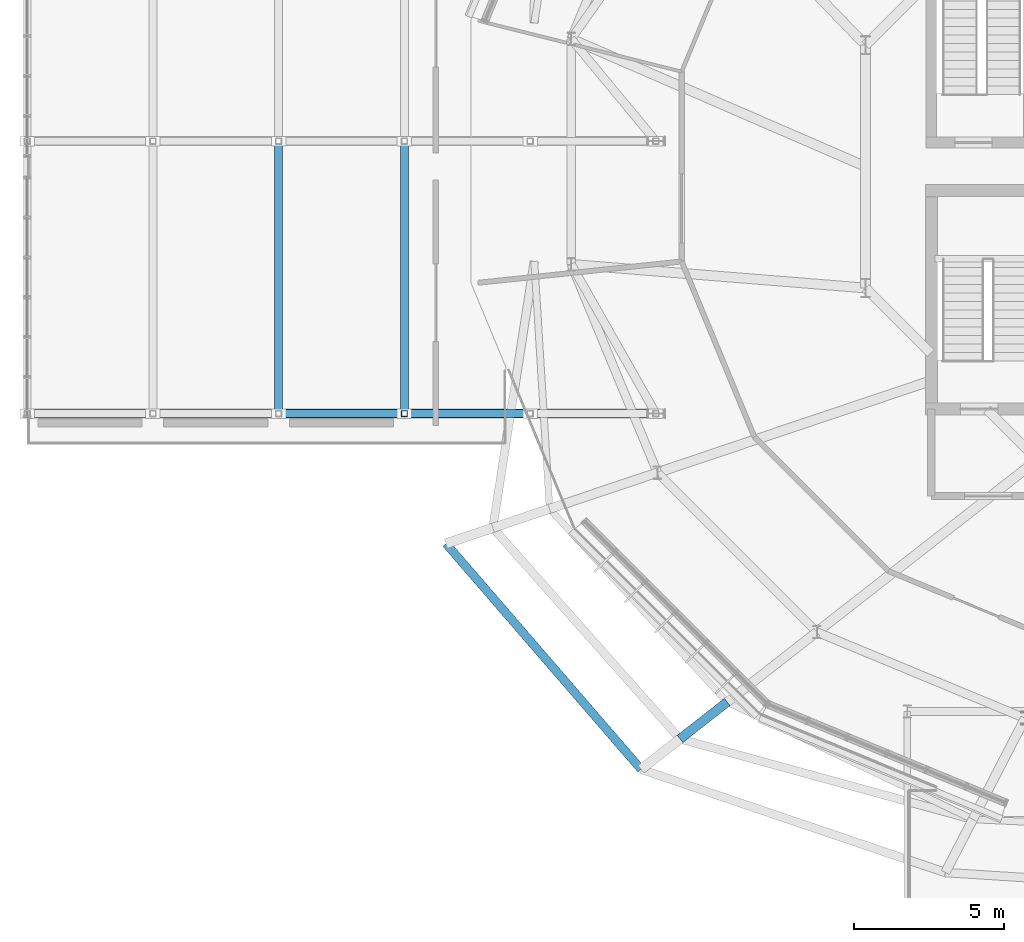
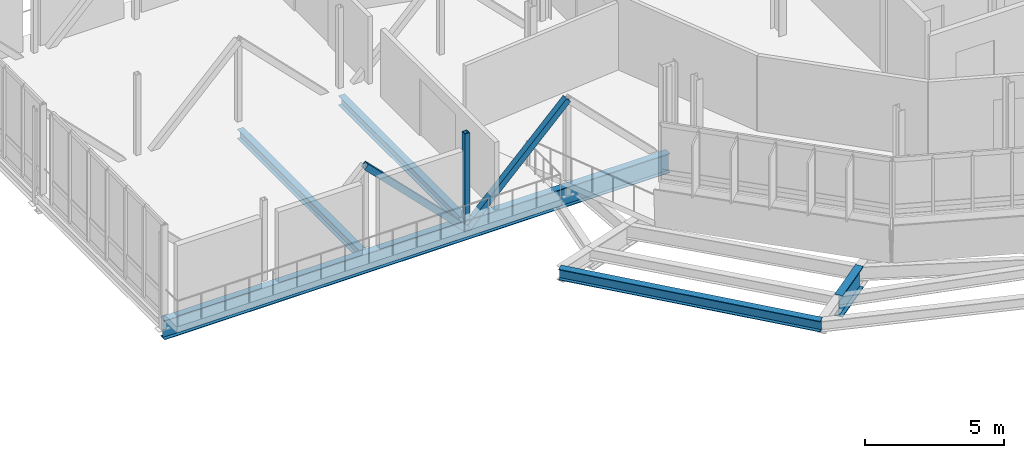
# One storey, part 19 of 107: 5 beams, 3 members.
"""IFC4 building model written with IfcOpenShell, lengths in metres."""

from ifc_helpers import new_model, si_unit, derived_unit, direction, frame, origin, origin_2d, place, context, subcontext, project, spatial, hollow_rectangle, i_section, extrude, material, material_profile, profile_set, type_object, element, save


model = new_model("IFC4")

# Units and contexts
model_context = context("Model", 3, precision=1e-05, world=origin(), true_north=direction((0.0, 1.0)))
body_context = subcontext(model_context, "Body", "Model", "MODEL_VIEW")
ifc_project = project(units=[si_unit("LENGTHUNIT", "METRE"), si_unit("AREAUNIT", "SQUARE_METRE"), si_unit("VOLUMEUNIT", "CUBIC_METRE"), si_unit("PLANEANGLEUNIT", "RADIAN"), si_unit("MASSUNIT", "GRAM", prefix="KILO"), derived_unit("THERMALTRANSMITTANCEUNIT", [(si_unit("MASSUNIT", "GRAM", prefix="KILO"), 1), (si_unit("TIMEUNIT", "SECOND"), -3), (si_unit("THERMODYNAMICTEMPERATUREUNIT", "KELVIN"), -1)])], contexts=[model_context])

# Site, building, storey
site_placement = place(None, origin())
site = spatial("IfcSite", under=ifc_project, at=site_placement, CompositionType="ELEMENT")
building_placement = place(site_placement, origin())
building = spatial("IfcBuilding", under=site, at=building_placement, Name="Makaiwela Harbour Ferry Terminal", CompositionType="ELEMENT")
storey_placement = place(building_placement, frame((0.0, 0.0, 9.60009765625)))
storey = spatial("IfcBuildingStorey", under=building, at=storey_placement, Name="L02", CompositionType="ELEMENT", Elevation=9.60009765625)

# Members
ifc_material_1 = material(Name="Steel ASTM A500 Grade C", Category="steel")
ifc_material_profile_1 = material_profile(ifc_material_1, hollow_rectangle(XDim=0.25390625, YDim=0.25390625, WallThickness=0.0146484375, at=origin_2d()), Name="HSS10X10X5/8")
ifc_profile_set_1 = profile_set([ifc_material_profile_1], Name="Steel ASTM A500 Grade C")
member_type_1 = type_object("IfcMemberType", Name="STR-BRC-HSS10", PredefinedType="BRACE", material=ifc_profile_set_1)
for number, where, z_axis, x_axis, name in (
    (1, (16.800048828125, 59.35009765625, 3.534423828125), (-0.705423542875, 0.0, -0.708786022124), (0.0, -1.0, 0.0), "Structural Member BR-01"),
    (2, (12.60009765625, 59.35009765625, -0.685546875), (-0.7054441424, 0.0, 0.708765519727), (0.0, -1.0, 0.0), "Structural Member BR-01"),
):
    element("IfcMember", number, at=place(storey_placement, frame(where, z_axis=z_axis, x_axis=x_axis)), inside=storey, type_object=member_type_1, Name=name, PredefinedType="BRACE", context=body_context, shape_type="SweptSolid", body=[
        extrude(hollow_rectangle(XDim=0.25390625, YDim=0.25390625, WallThickness=0.0146484375, at=origin_2d()), origin(), (0.0, 0.0, 1.0), 5.953857421875),
    ])

# Beams
ifc_material_2 = material(Name="Steel ASTM A992 Grade 50", Category="steel")
ifc_material_profile_2 = material_profile(ifc_material_2, i_section(OverallWidth=0.2939453125, OverallDepth=0.85107421875, WebThickness=0.01611328125, FlangeThickness=0.02685546875, at=origin_2d()), Name="W33X152")
ifc_profile_set_2 = profile_set([ifc_material_profile_2], Name="Steel ASTM A992 Grade 50")
beam_type_1 = type_object("IfcBeamType", Name="STR-GRD-W33X152", PredefinedType="USERDEFINED", material=ifc_profile_set_2)
beam_1_placement = place(storey_placement, frame((0.0, 59.35009765625, -0.685546875), z_axis=(1.0, 0.0, 0.0), x_axis=(0.0, 1.0, 0.0)))
element("IfcBeam", 3, at=beam_1_placement, inside=storey, type_object=beam_type_1, Name="West bridge truss middle chord 1", ObjectType="GIRDER", PredefinedType="USERDEFINED", context=body_context, shape_type="SweptSolid", body=[
    extrude(i_section(OverallWidth=0.2939453125, OverallDepth=0.85107421875, WebThickness=0.01611328125, FlangeThickness=0.02685546875, at=origin_2d()), origin(), (0.0, 0.0, 1.0), 21.0),
])
ifc_material_profile_3 = material_profile(ifc_material_2, i_section(OverallWidth=0.31005859375, OverallDepth=0.949951171875, WebThickness=0.0244140625, FlangeThickness=0.0439453125, at=origin_2d()), Name="W36X256")
ifc_profile_set_3 = profile_set([ifc_material_profile_3], Name="Steel ASTM A992 Grade 50")
beam_type_2 = type_object("IfcBeamType", Name="STR-GRD-W36X256", PredefinedType="USERDEFINED", material=ifc_profile_set_3)
beam_2_placement = place(storey_placement, frame((23.3828125, 49.71337890625, -0.735107421875), z_axis=(-0.787963297722, -0.615722211264, 0.0), x_axis=(0.615722211264, -0.787963297722, 0.0)))
element("IfcBeam", 4, at=beam_2_placement, inside=storey, type_object=beam_type_2, Name="Drum overhang radial girder 181", ObjectType="GIRDER", PredefinedType="USERDEFINED", context=body_context, shape_type="SweptSolid", body=[
    extrude(i_section(OverallWidth=0.31005859375, OverallDepth=0.949951171875, WebThickness=0.0244140625, FlangeThickness=0.0439453125, at=origin_2d()), origin(), (0.0, 0.0, 1.0), 2.0),
])
ifc_material_profile_4 = material_profile(ifc_material_2, i_section(OverallWidth=0.260986328125, OverallDepth=0.4189453125, WebThickness=0.01171875, FlangeThickness=0.019287109375, at=origin_2d()), Name="W16X77")
ifc_profile_set_4 = profile_set([ifc_material_profile_4], Name="Steel ASTM A992 Grade 50")
beam_type_3 = type_object("IfcBeamType", Name="STR-JST-W16X77", PredefinedType="JOIST", material=ifc_profile_set_4)
for number, where, z_axis, x_axis, name in (
    (5, (12.60009765625, 59.490966796875, -0.469482421875), (0.0, 1.0, 0.0), (-1.0, 0.0, 0.0), "Structural Beam J-02"),
    (6, (8.39990234375, 59.490966796875, -0.469482421875), (0.0, 1.0, 0.0), (-1.0, 0.0, 0.0), "Structural Beam J-02"),
):
    element("IfcBeam", number, at=place(storey_placement, frame(where, z_axis=z_axis, x_axis=x_axis)), inside=storey, type_object=beam_type_3, Name=name, PredefinedType="JOIST", context=body_context, shape_type="SweptSolid", body=[
        extrude(i_section(OverallWidth=0.260986328125, OverallDepth=0.4189453125, WebThickness=0.01171875, FlangeThickness=0.019287109375, at=origin_2d()), origin(), (0.0, 0.0, 1.0), 8.818115234375),
    ])

# Member
ifc_material_profile_5 = material_profile(ifc_material_1, hollow_rectangle(XDim=0.202880859375, YDim=0.202880859375, WallThickness=0.01171875, at=origin_2d()), Name="HSS8X8X1/2")
ifc_profile_set_5 = profile_set([ifc_material_profile_5], Name="Steel ASTM A500 Grade C")
member_type_2 = type_object("IfcMemberType", Name="STR-PST-HSS8", PredefinedType="POST", material=ifc_profile_set_5)
member_placement = place(storey_placement, frame((12.60009765625, 59.35009765625, -0.685546875), z_axis=(0.0, 0.0, 1.0), x_axis=(1.0, 0.0, 0.0)))
element("IfcMember", 7, at=member_placement, inside=storey, type_object=member_type_2, Name="Structural Member PS-01", PredefinedType="POST", context=body_context, shape_type="SweptSolid", body=[
    extrude(hollow_rectangle(XDim=0.202880859375, YDim=0.202880859375, WallThickness=0.01171875, at=origin_2d()), origin(), (0.0, 0.0, 1.0), 4.219970703125),
])

# Beam
ifc_material_profile_6 = material_profile(ifc_material_2, i_section(OverallWidth=0.283935546875, OverallDepth=0.47607421875, WebThickness=0.014892578125, FlangeThickness=0.02392578125, at=origin_2d()), Name="W18X106")
ifc_profile_set_6 = profile_set([ifc_material_profile_6], Name="Steel ASTM A992 Grade 50")
beam_type_4 = type_object("IfcBeamType", Name="STR-SPN-W18X106", PredefinedType="SPANDREL", material=ifc_profile_set_6)
beam_3_placement = place(storey_placement, frame((13.989990234375, 55.00634765625, -0.498046875), z_axis=(0.653892810567, -0.756587200717, 0.0), x_axis=(0.756587200717, 0.653892810567, 0.0)))
element("IfcBeam", 8, at=beam_3_placement, inside=storey, type_object=beam_type_4, Name="Drum perimeter spandrel 229", PredefinedType="SPANDREL", context=body_context, shape_type="SweptSolid", body=[
    extrude(i_section(OverallWidth=0.283935546875, OverallDepth=0.47607421875, WebThickness=0.014892578125, FlangeThickness=0.02392578125, at=origin_2d()), origin(), (0.0, 0.0, 1.0), 9.9658203125),
])

save(model, "model.ifc")
